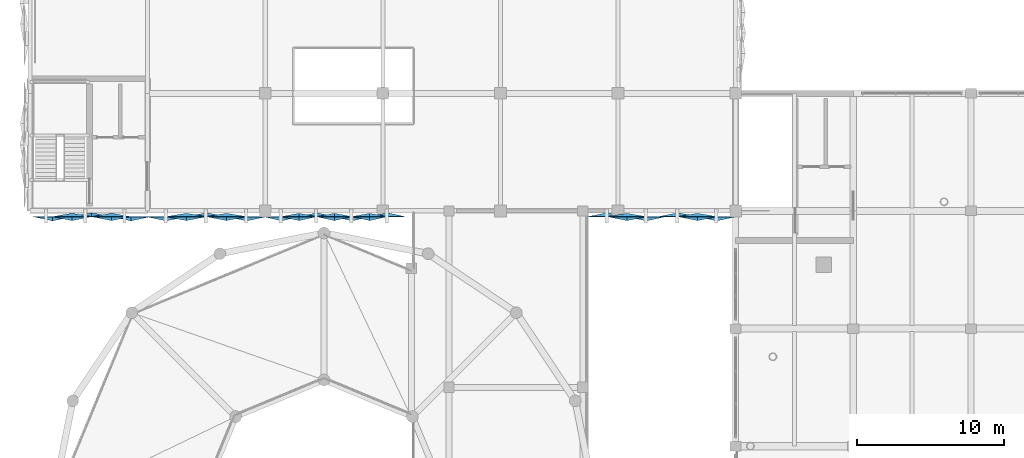
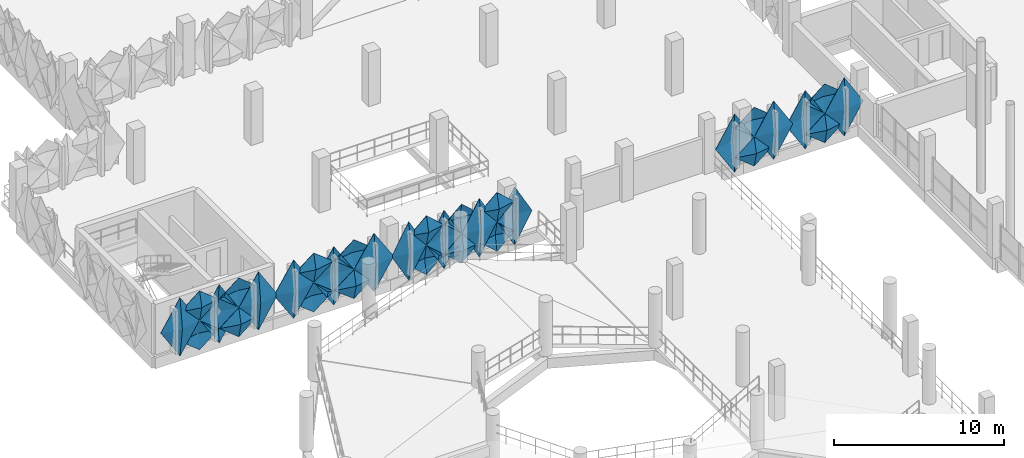
# One storey, part 88 of 123: 32 plates.
"""IFC4 building model written with IfcOpenShell, lengths in metres."""

from ifc_helpers import new_model, si_unit, derived_unit, direction, frame, origin, place, context, subcontext, project, spatial, polygons, material, layer, layer_set, type_object, element, save


model = new_model("IFC4")

# Units and contexts
model_context = context("Model", 3, precision=1e-05, world=origin(), true_north=direction((0.0, 1.0)))
body_context = subcontext(model_context, "Body", "Model", "MODEL_VIEW")
ifc_project = project(units=[si_unit("LENGTHUNIT", "METRE"), si_unit("AREAUNIT", "SQUARE_METRE"), si_unit("VOLUMEUNIT", "CUBIC_METRE"), si_unit("PLANEANGLEUNIT", "RADIAN"), si_unit("MASSUNIT", "GRAM", prefix="KILO"), si_unit("THERMODYNAMICTEMPERATUREUNIT", "KELVIN"), derived_unit("THERMALTRANSMITTANCEUNIT", [(si_unit("POWERUNIT", "WATT"), 1), (si_unit("AREAUNIT", "SQUARE_METRE"), -1), (si_unit("THERMODYNAMICTEMPERATUREUNIT", "KELVIN"), -1)])], contexts=[model_context])

# Site, building, storey
site_placement = place(None, origin())
site = spatial("IfcSite", under=ifc_project, at=site_placement, CompositionType="ELEMENT")
building_placement = place(site_placement, origin())
building = spatial("IfcBuilding", under=site, at=building_placement, Name="Haiyu Intermodal Mobility Hub", CompositionType="ELEMENT")
storey_placement = place(building_placement, frame((0.0, 0.0, 5.60009765625)))
storey = spatial("IfcBuildingStorey", under=building, at=storey_placement, Name="L01", CompositionType="ELEMENT", Elevation=5.60009765625)

# Plates
ifc_material = material(Name="Anodised aluminium 6063-T6", Category="aluminium")
ifc_layer_1 = layer(ifc_material, 0.02001953125)
ifc_layer_set_1 = layer_set([ifc_layer_1], Name="Anodised aluminium 6063-T6")
plate_type_1 = type_object("IfcPlateType", Name="PLT-FC02", PredefinedType="USERDEFINED", material=ifc_layer_set_1)
plate_1_placement = place(storey_placement, origin())
element("IfcPlate", 1, at=plate_1_placement, inside=storey, type_object=plate_type_1, Name="PLT-PYR-2478", ObjectType="FACADE CASSETTE", PredefinedType="USERDEFINED", context=body_context, shape_type="Tessellation", body=[
    polygons([(38.300048828125, 79.60009765625, -0.510009765625), (39.47998046875, 79.60009765625, 1.599853515625), (38.300048828125, 79.60009765625, 3.7099609375), (37.1201171875, 79.60009765625, 1.599853515625), (38.300048828125, 79.860107421875, 1.599853515625), (38.300048828125, 79.6220703125, -0.510009765625), (39.47998046875, 79.6220703125, 1.599853515625), (38.300048828125, 79.6220703125, 3.7099609375), (37.1201171875, 79.6220703125, 1.599853515625), (38.300048828125, 79.882080078125, 1.599853515625)], [[[1, 2, 5]], [[2, 3, 5]], [[3, 4, 5]], [[4, 1, 5]], [[7, 6, 10]], [[8, 7, 10]], [[9, 8, 10]], [[6, 9, 10]], [[1, 6, 7, 2]], [[2, 7, 8, 3]], [[3, 8, 9, 4]], [[4, 9, 6, 1]]], closed=True),
])
ifc_layer_2 = layer(ifc_material, 0.01806640625)
ifc_layer_set_2 = layer_set([ifc_layer_2], Name="Anodised aluminium 6063-T6")
plate_type_2 = type_object("IfcPlateType", Name="PLT-FC03", PredefinedType="USERDEFINED", material=ifc_layer_set_2)
plate_2_placement = place(storey_placement, origin())
element("IfcPlate", 2, at=plate_2_placement, inside=storey, type_object=plate_type_2, Name="PLT-PYR-1423", ObjectType="FACADE CASSETTE", PredefinedType="USERDEFINED", context=body_context, shape_type="Tessellation", body=[
    polygons([(15.532958984375, 79.60009765625, -0.510009765625), (16.846923828125, 79.60009765625, 1.599853515625), (15.532958984375, 79.60009765625, 3.7099609375), (14.219970703125, 79.60009765625, 1.599853515625), (15.532958984375, 79.320068359375, 1.599853515625), (15.532958984375, 79.6220703125, -0.510009765625), (16.846923828125, 79.6220703125, 1.599853515625), (15.532958984375, 79.6220703125, 3.7099609375), (14.219970703125, 79.6220703125, 1.599853515625), (15.532958984375, 79.342041015625, 1.599853515625)], [[[1, 2, 5]], [[2, 3, 5]], [[3, 4, 5]], [[4, 1, 5]], [[7, 6, 10]], [[8, 7, 10]], [[9, 8, 10]], [[6, 9, 10]], [[1, 6, 7, 2]], [[2, 7, 8, 3]], [[3, 8, 9, 4]], [[4, 9, 6, 1]]], closed=True),
])
plate_3_placement = place(storey_placement, origin())
element("IfcPlate", 3, at=plate_3_placement, inside=storey, type_object=plate_type_2, Name="PLT-PYR-1427", ObjectType="FACADE CASSETTE", PredefinedType="USERDEFINED", context=body_context, shape_type="Tessellation", body=[
    polygons([(19.532958984375, 79.60009765625, -0.52001953125), (20.846923828125, 79.60009765625, 0.52978515625), (19.532958984375, 79.60009765625, 1.579833984375), (18.219970703125, 79.60009765625, 0.52978515625), (19.532958984375, 79.340087890625, 0.52978515625), (19.532958984375, 79.6220703125, -0.52001953125), (20.846923828125, 79.6220703125, 0.52978515625), (19.532958984375, 79.6220703125, 1.579833984375), (18.219970703125, 79.6220703125, 0.52978515625), (19.532958984375, 79.362060546875, 0.52978515625)], [[[1, 2, 5]], [[2, 3, 5]], [[3, 4, 5]], [[4, 1, 5]], [[7, 6, 10]], [[8, 7, 10]], [[9, 8, 10]], [[6, 9, 10]], [[1, 6, 7, 2]], [[2, 7, 8, 3]], [[3, 8, 9, 4]], [[4, 9, 6, 1]]], closed=True),
])
plate_4_placement = place(storey_placement, origin())
element("IfcPlate", 4, at=plate_4_placement, inside=storey, type_object=plate_type_2, Name="PLT-PYR-2034", ObjectType="FACADE CASSETTE", PredefinedType="USERDEFINED", context=body_context, shape_type="Tessellation", body=[
    polygons([(54.60009765625, 79.60009765625, -0.52001953125), (55.905029296875, 79.60009765625, 0.52978515625), (54.60009765625, 79.60009765625, 1.579833984375), (53.294921875, 79.60009765625, 0.52978515625), (54.60009765625, 79.340087890625, 0.52978515625), (54.60009765625, 79.6220703125, -0.52001953125), (55.905029296875, 79.6220703125, 0.52978515625), (54.60009765625, 79.6220703125, 1.579833984375), (53.294921875, 79.6220703125, 0.52978515625), (54.60009765625, 79.362060546875, 0.52978515625)], [[[1, 2, 5]], [[2, 3, 5]], [[3, 4, 5]], [[4, 1, 5]], [[7, 6, 10]], [[8, 7, 10]], [[9, 8, 10]], [[6, 9, 10]], [[1, 6, 7, 2]], [[2, 7, 8, 3]], [[3, 8, 9, 4]], [[4, 9, 6, 1]]], closed=True),
])
plate_5_placement = place(storey_placement, origin())
element("IfcPlate", 5, at=plate_5_placement, inside=storey, type_object=plate_type_2, Name="PLT-PYR-2038", ObjectType="FACADE CASSETTE", PredefinedType="USERDEFINED", context=body_context, shape_type="Tessellation", body=[
    polygons([(59.39990234375, 79.60009765625, -0.52001953125), (60.705078125, 79.60009765625, 0.52978515625), (59.39990234375, 79.60009765625, 1.579833984375), (58.094970703125, 79.60009765625, 0.52978515625), (59.39990234375, 79.340087890625, 0.52978515625), (59.39990234375, 79.6220703125, -0.52001953125), (60.705078125, 79.6220703125, 0.52978515625), (59.39990234375, 79.6220703125, 1.579833984375), (58.094970703125, 79.6220703125, 0.52978515625), (59.39990234375, 79.362060546875, 0.52978515625)], [[[1, 2, 5]], [[2, 3, 5]], [[3, 4, 5]], [[4, 1, 5]], [[7, 6, 10]], [[8, 7, 10]], [[9, 8, 10]], [[6, 9, 10]], [[1, 6, 7, 2]], [[2, 7, 8, 3]], [[3, 8, 9, 4]], [[4, 9, 6, 1]]], closed=True),
])
plate_6_placement = place(storey_placement, origin())
element("IfcPlate", 6, at=plate_6_placement, inside=storey, type_object=plate_type_2, Name="PLT-PYR-2462", ObjectType="FACADE CASSETTE", PredefinedType="USERDEFINED", context=body_context, shape_type="Tessellation", body=[
    polygons([(23.26708984375, 79.60009765625, -0.510009765625), (24.613037109375, 79.60009765625, 1.599853515625), (23.26708984375, 79.60009765625, 3.7099609375), (21.919921875, 79.60009765625, 1.599853515625), (23.26708984375, 79.320068359375, 1.599853515625), (23.26708984375, 79.6220703125, -0.510009765625), (24.613037109375, 79.6220703125, 1.599853515625), (23.26708984375, 79.6220703125, 3.7099609375), (21.919921875, 79.6220703125, 1.599853515625), (23.26708984375, 79.342041015625, 1.599853515625)], [[[1, 2, 5]], [[2, 3, 5]], [[3, 4, 5]], [[4, 1, 5]], [[7, 6, 10]], [[8, 7, 10]], [[9, 8, 10]], [[6, 9, 10]], [[1, 6, 7, 2]], [[2, 7, 8, 3]], [[3, 8, 9, 4]], [[4, 9, 6, 1]]], closed=True),
])
plate_7_placement = place(storey_placement, origin())
element("IfcPlate", 7, at=plate_7_placement, inside=storey, type_object=plate_type_2, Name="PLT-PYR-2466", ObjectType="FACADE CASSETTE", PredefinedType="USERDEFINED", context=body_context, shape_type="Tessellation", body=[
    polygons([(27.366943359375, 79.60009765625, -0.52001953125), (28.712890625, 79.60009765625, 0.52978515625), (27.366943359375, 79.60009765625, 1.579833984375), (26.02001953125, 79.60009765625, 0.52978515625), (27.366943359375, 79.340087890625, 0.52978515625), (27.366943359375, 79.6220703125, -0.52001953125), (28.712890625, 79.6220703125, 0.52978515625), (27.366943359375, 79.6220703125, 1.579833984375), (26.02001953125, 79.6220703125, 0.52978515625), (27.366943359375, 79.362060546875, 0.52978515625)], [[[1, 2, 5]], [[2, 3, 5]], [[3, 4, 5]], [[4, 1, 5]], [[7, 6, 10]], [[8, 7, 10]], [[9, 8, 10]], [[6, 9, 10]], [[1, 6, 7, 2]], [[2, 7, 8, 3]], [[3, 8, 9, 4]], [[4, 9, 6, 1]]], closed=True),
])
plate_8_placement = place(storey_placement, origin())
element("IfcPlate", 8, at=plate_8_placement, inside=storey, type_object=plate_type_2, Name="PLT-PYR-2469", ObjectType="FACADE CASSETTE", PredefinedType="USERDEFINED", context=body_context, shape_type="Tessellation", body=[
    polygons([(31.10009765625, 79.60009765625, -0.510009765625), (32.280029296875, 79.60009765625, 1.599853515625), (31.10009765625, 79.60009765625, 3.7099609375), (29.919921875, 79.60009765625, 1.599853515625), (31.10009765625, 79.320068359375, 1.599853515625), (31.10009765625, 79.6220703125, -0.510009765625), (32.280029296875, 79.6220703125, 1.599853515625), (31.10009765625, 79.6220703125, 3.7099609375), (29.919921875, 79.6220703125, 1.599853515625), (31.10009765625, 79.342041015625, 1.599853515625)], [[[1, 2, 5]], [[2, 3, 5]], [[3, 4, 5]], [[4, 1, 5]], [[7, 6, 10]], [[8, 7, 10]], [[9, 8, 10]], [[6, 9, 10]], [[1, 6, 7, 2]], [[2, 7, 8, 3]], [[3, 8, 9, 4]], [[4, 9, 6, 1]]], closed=True),
])
plate_9_placement = place(storey_placement, origin())
element("IfcPlate", 9, at=plate_9_placement, inside=storey, type_object=plate_type_2, Name="PLT-PYR-2473", ObjectType="FACADE CASSETTE", PredefinedType="USERDEFINED", context=body_context, shape_type="Tessellation", body=[
    polygons([(34.699951171875, 79.60009765625, -0.52001953125), (35.8798828125, 79.60009765625, 0.52978515625), (34.699951171875, 79.60009765625, 1.579833984375), (33.52001953125, 79.60009765625, 0.52978515625), (34.699951171875, 79.340087890625, 0.52978515625), (34.699951171875, 79.6220703125, -0.52001953125), (35.8798828125, 79.6220703125, 0.52978515625), (34.699951171875, 79.6220703125, 1.579833984375), (33.52001953125, 79.6220703125, 0.52978515625), (34.699951171875, 79.362060546875, 0.52978515625)], [[[1, 2, 5]], [[2, 3, 5]], [[3, 4, 5]], [[4, 1, 5]], [[7, 6, 10]], [[8, 7, 10]], [[9, 8, 10]], [[6, 9, 10]], [[1, 6, 7, 2]], [[2, 7, 8, 3]], [[3, 8, 9, 4]], [[4, 9, 6, 1]]], closed=True),
])
ifc_layer_3 = layer(ifc_material, 0.02001953125)
ifc_layer_set_3 = layer_set([ifc_layer_3], Name="Anodised aluminium 6063-T6")
plate_type_3 = type_object("IfcPlateType", Name="PLT-FC04", PredefinedType="USERDEFINED", material=ifc_layer_set_3)
plate_10_placement = place(storey_placement, origin())
element("IfcPlate", 10, at=plate_10_placement, inside=storey, type_object=plate_type_3, Name="PLT-PYR-1424", ObjectType="FACADE CASSETTE", PredefinedType="USERDEFINED", context=body_context, shape_type="Tessellation", body=[
    polygons([(16.866943359375, 79.60009765625, -0.52001953125), (18.179931640625, 79.60009765625, 0.52978515625), (16.866943359375, 79.60009765625, 1.579833984375), (15.552978515625, 79.60009765625, 0.52978515625), (16.866943359375, 79.820068359375, 0.52978515625), (16.866943359375, 79.6220703125, -0.52001953125), (18.179931640625, 79.6220703125, 0.52978515625), (16.866943359375, 79.6220703125, 1.579833984375), (15.552978515625, 79.6220703125, 0.52978515625), (16.866943359375, 79.842041015625, 0.52978515625)], [[[1, 2, 5]], [[2, 3, 5]], [[3, 4, 5]], [[4, 1, 5]], [[7, 6, 10]], [[8, 7, 10]], [[9, 8, 10]], [[6, 9, 10]], [[1, 6, 7, 2]], [[2, 7, 8, 3]], [[3, 8, 9, 4]], [[4, 9, 6, 1]]], closed=True),
])
plate_11_placement = place(storey_placement, origin())
element("IfcPlate", 11, at=plate_11_placement, inside=storey, type_object=plate_type_3, Name="PLT-PYR-2033", ObjectType="FACADE CASSETTE", PredefinedType="USERDEFINED", context=body_context, shape_type="Tessellation", body=[
    polygons([(53.27490234375, 79.60009765625, -0.510009765625), (54.580078125, 79.60009765625, 1.599853515625), (53.27490234375, 79.60009765625, 3.7099609375), (51.969970703125, 79.60009765625, 1.599853515625), (53.27490234375, 79.860107421875, 1.599853515625), (53.27490234375, 79.6220703125, -0.510009765625), (54.580078125, 79.6220703125, 1.599853515625), (53.27490234375, 79.6220703125, 3.7099609375), (51.969970703125, 79.6220703125, 1.599853515625), (53.27490234375, 79.882080078125, 1.599853515625)], [[[1, 2, 5]], [[2, 3, 5]], [[3, 4, 5]], [[4, 1, 5]], [[7, 6, 10]], [[8, 7, 10]], [[9, 8, 10]], [[6, 9, 10]], [[1, 6, 7, 2]], [[2, 7, 8, 3]], [[3, 8, 9, 4]], [[4, 9, 6, 1]]], closed=True),
])
plate_12_placement = place(storey_placement, origin())
element("IfcPlate", 12, at=plate_12_placement, inside=storey, type_object=plate_type_3, Name="PLT-PYR-2037", ObjectType="FACADE CASSETTE", PredefinedType="USERDEFINED", context=body_context, shape_type="Tessellation", body=[
    polygons([(58.074951171875, 79.60009765625, -0.510009765625), (59.3798828125, 79.60009765625, 1.599853515625), (58.074951171875, 79.60009765625, 3.7099609375), (56.77001953125, 79.60009765625, 1.599853515625), (58.074951171875, 79.860107421875, 1.599853515625), (58.074951171875, 79.6220703125, -0.510009765625), (59.3798828125, 79.6220703125, 1.599853515625), (58.074951171875, 79.6220703125, 3.7099609375), (56.77001953125, 79.6220703125, 1.599853515625), (58.074951171875, 79.882080078125, 1.599853515625)], [[[1, 2, 5]], [[2, 3, 5]], [[3, 4, 5]], [[4, 1, 5]], [[7, 6, 10]], [[8, 7, 10]], [[9, 8, 10]], [[6, 9, 10]], [[1, 6, 7, 2]], [[2, 7, 8, 3]], [[3, 8, 9, 4]], [[4, 9, 6, 1]]], closed=True),
])
plate_13_placement = place(storey_placement, origin())
element("IfcPlate", 13, at=plate_13_placement, inside=storey, type_object=plate_type_3, Name="PLT-PYR-2463", ObjectType="FACADE CASSETTE", PredefinedType="USERDEFINED", context=body_context, shape_type="Tessellation", body=[
    polygons([(24.633056640625, 79.60009765625, -0.52001953125), (25.97998046875, 79.60009765625, 0.52978515625), (24.633056640625, 79.60009765625, 1.579833984375), (23.287109375, 79.60009765625, 0.52978515625), (24.633056640625, 79.820068359375, 0.52978515625), (24.633056640625, 79.6220703125, -0.52001953125), (25.97998046875, 79.6220703125, 0.52978515625), (24.633056640625, 79.6220703125, 1.579833984375), (23.287109375, 79.6220703125, 0.52978515625), (24.633056640625, 79.842041015625, 0.52978515625)], [[[1, 2, 5]], [[2, 3, 5]], [[3, 4, 5]], [[4, 1, 5]], [[7, 6, 10]], [[8, 7, 10]], [[9, 8, 10]], [[6, 9, 10]], [[1, 6, 7, 2]], [[2, 7, 8, 3]], [[3, 8, 9, 4]], [[4, 9, 6, 1]]], closed=True),
])
plate_14_placement = place(storey_placement, origin())
element("IfcPlate", 14, at=plate_14_placement, inside=storey, type_object=plate_type_3, Name="PLT-PYR-2470", ObjectType="FACADE CASSETTE", PredefinedType="USERDEFINED", context=body_context, shape_type="Tessellation", body=[
    polygons([(32.300048828125, 79.60009765625, -0.52001953125), (33.47998046875, 79.60009765625, 0.52978515625), (32.300048828125, 79.60009765625, 1.579833984375), (31.1201171875, 79.60009765625, 0.52978515625), (32.300048828125, 79.820068359375, 0.52978515625), (32.300048828125, 79.6220703125, -0.52001953125), (33.47998046875, 79.6220703125, 0.52978515625), (32.300048828125, 79.6220703125, 1.579833984375), (31.1201171875, 79.6220703125, 0.52978515625), (32.300048828125, 79.842041015625, 0.52978515625)], [[[1, 2, 5]], [[2, 3, 5]], [[3, 4, 5]], [[4, 1, 5]], [[7, 6, 10]], [[8, 7, 10]], [[9, 8, 10]], [[6, 9, 10]], [[1, 6, 7, 2]], [[2, 7, 8, 3]], [[3, 8, 9, 4]], [[4, 9, 6, 1]]], closed=True),
])
plate_15_placement = place(storey_placement, origin())
element("IfcPlate", 15, at=plate_15_placement, inside=storey, type_object=plate_type_3, Name="PLT-PYR-2476", ObjectType="FACADE CASSETTE", PredefinedType="USERDEFINED", context=body_context, shape_type="Tessellation", body=[
    polygons([(37.10009765625, 79.60009765625, -0.52001953125), (38.280029296875, 79.60009765625, 0.52978515625), (37.10009765625, 79.60009765625, 1.579833984375), (35.919921875, 79.60009765625, 0.52978515625), (37.10009765625, 79.820068359375, 0.52978515625), (37.10009765625, 79.6220703125, -0.52001953125), (38.280029296875, 79.6220703125, 0.52978515625), (37.10009765625, 79.6220703125, 1.579833984375), (35.919921875, 79.6220703125, 0.52978515625), (37.10009765625, 79.842041015625, 0.52978515625)], [[[1, 2, 5]], [[2, 3, 5]], [[3, 4, 5]], [[4, 1, 5]], [[7, 6, 10]], [[8, 7, 10]], [[9, 8, 10]], [[6, 9, 10]], [[1, 6, 7, 2]], [[2, 7, 8, 3]], [[3, 8, 9, 4]], [[4, 9, 6, 1]]], closed=True),
])
ifc_layer_4 = layer(ifc_material, 0.01806640625)
ifc_layer_set_4 = layer_set([ifc_layer_4], Name="Anodised aluminium 6063-T6")
plate_type_4 = type_object("IfcPlateType", Name="PLT-FC05", PredefinedType="USERDEFINED", material=ifc_layer_set_4)
plate_16_placement = place(storey_placement, origin())
element("IfcPlate", 16, at=plate_16_placement, inside=storey, type_object=plate_type_4, Name="PLT-PYR-1425", ObjectType="FACADE CASSETTE", PredefinedType="USERDEFINED", context=body_context, shape_type="Tessellation", body=[
    polygons([(16.866943359375, 79.60009765625, 1.619873046875), (18.179931640625, 79.60009765625, 2.669921875), (16.866943359375, 79.60009765625, 3.719970703125), (15.552978515625, 79.60009765625, 2.669921875), (16.866943359375, 79.340087890625, 2.669921875), (16.866943359375, 79.6220703125, 1.619873046875), (18.179931640625, 79.6220703125, 2.669921875), (16.866943359375, 79.6220703125, 3.719970703125), (15.552978515625, 79.6220703125, 2.669921875), (16.866943359375, 79.362060546875, 2.669921875)], [[[1, 2, 5]], [[2, 3, 5]], [[3, 4, 5]], [[4, 1, 5]], [[7, 6, 10]], [[8, 7, 10]], [[9, 8, 10]], [[6, 9, 10]], [[1, 6, 7, 2]], [[2, 7, 8, 3]], [[3, 8, 9, 4]], [[4, 9, 6, 1]]], closed=True),
])
plate_17_placement = place(storey_placement, origin())
element("IfcPlate", 17, at=plate_17_placement, inside=storey, type_object=plate_type_4, Name="PLT-PYR-2036", ObjectType="FACADE CASSETTE", PredefinedType="USERDEFINED", context=body_context, shape_type="Tessellation", body=[
    polygons([(55.925048828125, 79.60009765625, -0.510009765625), (57.22998046875, 79.60009765625, 1.599853515625), (55.925048828125, 79.60009765625, 3.7099609375), (54.6201171875, 79.60009765625, 1.599853515625), (55.925048828125, 79.320068359375, 1.599853515625), (55.925048828125, 79.6220703125, -0.510009765625), (57.22998046875, 79.6220703125, 1.599853515625), (55.925048828125, 79.6220703125, 3.7099609375), (54.6201171875, 79.6220703125, 1.599853515625), (55.925048828125, 79.342041015625, 1.599853515625)], [[[1, 2, 5]], [[2, 3, 5]], [[3, 4, 5]], [[4, 1, 5]], [[7, 6, 10]], [[8, 7, 10]], [[9, 8, 10]], [[6, 9, 10]], [[1, 6, 7, 2]], [[2, 7, 8, 3]], [[3, 8, 9, 4]], [[4, 9, 6, 1]]], closed=True),
])
plate_18_placement = place(storey_placement, origin())
element("IfcPlate", 18, at=plate_18_placement, inside=storey, type_object=plate_type_4, Name="PLT-PYR-2040", ObjectType="FACADE CASSETTE", PredefinedType="USERDEFINED", context=body_context, shape_type="Tessellation", body=[
    polygons([(60.72509765625, 79.60009765625, -0.510009765625), (62.030029296875, 79.60009765625, 1.599853515625), (60.72509765625, 79.60009765625, 3.7099609375), (59.419921875, 79.60009765625, 1.599853515625), (60.72509765625, 79.320068359375, 1.599853515625), (60.72509765625, 79.6220703125, -0.510009765625), (62.030029296875, 79.6220703125, 1.599853515625), (60.72509765625, 79.6220703125, 3.7099609375), (59.419921875, 79.6220703125, 1.599853515625), (60.72509765625, 79.342041015625, 1.599853515625)], [[[1, 2, 5]], [[2, 3, 5]], [[3, 4, 5]], [[4, 1, 5]], [[7, 6, 10]], [[8, 7, 10]], [[9, 8, 10]], [[6, 9, 10]], [[1, 6, 7, 2]], [[2, 7, 8, 3]], [[3, 8, 9, 4]], [[4, 9, 6, 1]]], closed=True),
])
plate_19_placement = place(storey_placement, origin())
element("IfcPlate", 19, at=plate_19_placement, inside=storey, type_object=plate_type_4, Name="PLT-PYR-2464", ObjectType="FACADE CASSETTE", PredefinedType="USERDEFINED", context=body_context, shape_type="Tessellation", body=[
    polygons([(24.633056640625, 79.60009765625, 1.619873046875), (25.97998046875, 79.60009765625, 2.669921875), (24.633056640625, 79.60009765625, 3.719970703125), (23.287109375, 79.60009765625, 2.669921875), (24.633056640625, 79.340087890625, 2.669921875), (24.633056640625, 79.6220703125, 1.619873046875), (25.97998046875, 79.6220703125, 2.669921875), (24.633056640625, 79.6220703125, 3.719970703125), (23.287109375, 79.6220703125, 2.669921875), (24.633056640625, 79.362060546875, 2.669921875)], [[[1, 2, 5]], [[2, 3, 5]], [[3, 4, 5]], [[4, 1, 5]], [[7, 6, 10]], [[8, 7, 10]], [[9, 8, 10]], [[6, 9, 10]], [[1, 6, 7, 2]], [[2, 7, 8, 3]], [[3, 8, 9, 4]], [[4, 9, 6, 1]]], closed=True),
])
plate_20_placement = place(storey_placement, origin())
element("IfcPlate", 20, at=plate_20_placement, inside=storey, type_object=plate_type_4, Name="PLT-PYR-2471", ObjectType="FACADE CASSETTE", PredefinedType="USERDEFINED", context=body_context, shape_type="Tessellation", body=[
    polygons([(32.300048828125, 79.60009765625, 1.619873046875), (33.47998046875, 79.60009765625, 2.669921875), (32.300048828125, 79.60009765625, 3.719970703125), (31.1201171875, 79.60009765625, 2.669921875), (32.300048828125, 79.340087890625, 2.669921875), (32.300048828125, 79.6220703125, 1.619873046875), (33.47998046875, 79.6220703125, 2.669921875), (32.300048828125, 79.6220703125, 3.719970703125), (31.1201171875, 79.6220703125, 2.669921875), (32.300048828125, 79.362060546875, 2.669921875)], [[[1, 2, 5]], [[2, 3, 5]], [[3, 4, 5]], [[4, 1, 5]], [[7, 6, 10]], [[8, 7, 10]], [[9, 8, 10]], [[6, 9, 10]], [[1, 6, 7, 2]], [[2, 7, 8, 3]], [[3, 8, 9, 4]], [[4, 9, 6, 1]]], closed=True),
])
plate_21_placement = place(storey_placement, origin())
element("IfcPlate", 21, at=plate_21_placement, inside=storey, type_object=plate_type_4, Name="PLT-PYR-2477", ObjectType="FACADE CASSETTE", PredefinedType="USERDEFINED", context=body_context, shape_type="Tessellation", body=[
    polygons([(37.10009765625, 79.60009765625, 1.619873046875), (38.280029296875, 79.60009765625, 2.669921875), (37.10009765625, 79.60009765625, 3.719970703125), (35.919921875, 79.60009765625, 2.669921875), (37.10009765625, 79.340087890625, 2.669921875), (37.10009765625, 79.6220703125, 1.619873046875), (38.280029296875, 79.6220703125, 2.669921875), (37.10009765625, 79.6220703125, 3.719970703125), (35.919921875, 79.6220703125, 2.669921875), (37.10009765625, 79.362060546875, 2.669921875)], [[[1, 2, 5]], [[2, 3, 5]], [[3, 4, 5]], [[4, 1, 5]], [[7, 6, 10]], [[8, 7, 10]], [[9, 8, 10]], [[6, 9, 10]], [[1, 6, 7, 2]], [[2, 7, 8, 3]], [[3, 8, 9, 4]], [[4, 9, 6, 1]]], closed=True),
])
ifc_layer_5 = layer(ifc_material, 0.02001953125)
ifc_layer_set_5 = layer_set([ifc_layer_5], Name="Anodised aluminium 6063-T6")
plate_type_5 = type_object("IfcPlateType", Name="PLT-FC06", PredefinedType="USERDEFINED", material=ifc_layer_set_5)
plate_22_placement = place(storey_placement, origin())
element("IfcPlate", 22, at=plate_22_placement, inside=storey, type_object=plate_type_5, Name="PLT-PYR-1426", ObjectType="FACADE CASSETTE", PredefinedType="USERDEFINED", context=body_context, shape_type="Tessellation", body=[
    polygons([(18.199951171875, 79.60009765625, -0.510009765625), (19.512939453125, 79.60009765625, 1.599853515625), (18.199951171875, 79.60009765625, 3.7099609375), (16.886962890625, 79.60009765625, 1.599853515625), (18.199951171875, 79.860107421875, 1.599853515625), (18.199951171875, 79.6220703125, -0.510009765625), (19.512939453125, 79.6220703125, 1.599853515625), (18.199951171875, 79.6220703125, 3.7099609375), (16.886962890625, 79.6220703125, 1.599853515625), (18.199951171875, 79.882080078125, 1.599853515625)], [[[1, 2, 5]], [[2, 3, 5]], [[3, 4, 5]], [[4, 1, 5]], [[7, 6, 10]], [[8, 7, 10]], [[9, 8, 10]], [[6, 9, 10]], [[1, 6, 7, 2]], [[2, 7, 8, 3]], [[3, 8, 9, 4]], [[4, 9, 6, 1]]], closed=True),
])
plate_23_placement = place(storey_placement, origin())
element("IfcPlate", 23, at=plate_23_placement, inside=storey, type_object=plate_type_5, Name="PLT-PYR-1428", ObjectType="FACADE CASSETTE", PredefinedType="USERDEFINED", context=body_context, shape_type="Tessellation", body=[
    polygons([(19.532958984375, 79.60009765625, 1.619873046875), (20.846923828125, 79.60009765625, 2.669921875), (19.532958984375, 79.60009765625, 3.719970703125), (18.219970703125, 79.60009765625, 2.669921875), (19.532958984375, 79.820068359375, 2.669921875), (19.532958984375, 79.6220703125, 1.619873046875), (20.846923828125, 79.6220703125, 2.669921875), (19.532958984375, 79.6220703125, 3.719970703125), (18.219970703125, 79.6220703125, 2.669921875), (19.532958984375, 79.842041015625, 2.669921875)], [[[1, 2, 5]], [[2, 3, 5]], [[3, 4, 5]], [[4, 1, 5]], [[7, 6, 10]], [[8, 7, 10]], [[9, 8, 10]], [[6, 9, 10]], [[1, 6, 7, 2]], [[2, 7, 8, 3]], [[3, 8, 9, 4]], [[4, 9, 6, 1]]], closed=True),
])
plate_24_placement = place(storey_placement, origin())
element("IfcPlate", 24, at=plate_24_placement, inside=storey, type_object=plate_type_5, Name="PLT-PYR-2035", ObjectType="FACADE CASSETTE", PredefinedType="USERDEFINED", context=body_context, shape_type="Tessellation", body=[
    polygons([(54.60009765625, 79.60009765625, 1.619873046875), (55.905029296875, 79.60009765625, 2.669921875), (54.60009765625, 79.60009765625, 3.719970703125), (53.294921875, 79.60009765625, 2.669921875), (54.60009765625, 79.820068359375, 2.669921875), (54.60009765625, 79.6220703125, 1.619873046875), (55.905029296875, 79.6220703125, 2.669921875), (54.60009765625, 79.6220703125, 3.719970703125), (53.294921875, 79.6220703125, 2.669921875), (54.60009765625, 79.842041015625, 2.669921875)], [[[1, 2, 5]], [[2, 3, 5]], [[3, 4, 5]], [[4, 1, 5]], [[7, 6, 10]], [[8, 7, 10]], [[9, 8, 10]], [[6, 9, 10]], [[1, 6, 7, 2]], [[2, 7, 8, 3]], [[3, 8, 9, 4]], [[4, 9, 6, 1]]], closed=True),
])
plate_25_placement = place(storey_placement, origin())
element("IfcPlate", 25, at=plate_25_placement, inside=storey, type_object=plate_type_5, Name="PLT-PYR-2039", ObjectType="FACADE CASSETTE", PredefinedType="USERDEFINED", context=body_context, shape_type="Tessellation", body=[
    polygons([(59.39990234375, 79.60009765625, 1.619873046875), (60.705078125, 79.60009765625, 2.669921875), (59.39990234375, 79.60009765625, 3.719970703125), (58.094970703125, 79.60009765625, 2.669921875), (59.39990234375, 79.820068359375, 2.669921875), (59.39990234375, 79.6220703125, 1.619873046875), (60.705078125, 79.6220703125, 2.669921875), (59.39990234375, 79.6220703125, 3.719970703125), (58.094970703125, 79.6220703125, 2.669921875), (59.39990234375, 79.842041015625, 2.669921875)], [[[1, 2, 5]], [[2, 3, 5]], [[3, 4, 5]], [[4, 1, 5]], [[7, 6, 10]], [[8, 7, 10]], [[9, 8, 10]], [[6, 9, 10]], [[1, 6, 7, 2]], [[2, 7, 8, 3]], [[3, 8, 9, 4]], [[4, 9, 6, 1]]], closed=True),
])
plate_26_placement = place(storey_placement, origin())
element("IfcPlate", 26, at=plate_26_placement, inside=storey, type_object=plate_type_5, Name="PLT-PYR-2465", ObjectType="FACADE CASSETTE", PredefinedType="USERDEFINED", context=body_context, shape_type="Tessellation", body=[
    polygons([(26.0, 79.60009765625, -0.510009765625), (27.346923828125, 79.60009765625, 1.599853515625), (26.0, 79.60009765625, 3.7099609375), (24.653076171875, 79.60009765625, 1.599853515625), (26.0, 79.860107421875, 1.599853515625), (26.0, 79.6220703125, -0.510009765625), (27.346923828125, 79.6220703125, 1.599853515625), (26.0, 79.6220703125, 3.7099609375), (24.653076171875, 79.6220703125, 1.599853515625), (26.0, 79.882080078125, 1.599853515625)], [[[1, 2, 5]], [[2, 3, 5]], [[3, 4, 5]], [[4, 1, 5]], [[7, 6, 10]], [[8, 7, 10]], [[9, 8, 10]], [[6, 9, 10]], [[1, 6, 7, 2]], [[2, 7, 8, 3]], [[3, 8, 9, 4]], [[4, 9, 6, 1]]], closed=True),
])
plate_27_placement = place(storey_placement, origin())
element("IfcPlate", 27, at=plate_27_placement, inside=storey, type_object=plate_type_5, Name="PLT-PYR-2467", ObjectType="FACADE CASSETTE", PredefinedType="USERDEFINED", context=body_context, shape_type="Tessellation", body=[
    polygons([(27.366943359375, 79.60009765625, 1.619873046875), (28.712890625, 79.60009765625, 2.669921875), (27.366943359375, 79.60009765625, 3.719970703125), (26.02001953125, 79.60009765625, 2.669921875), (27.366943359375, 79.820068359375, 2.669921875), (27.366943359375, 79.6220703125, 1.619873046875), (28.712890625, 79.6220703125, 2.669921875), (27.366943359375, 79.6220703125, 3.719970703125), (26.02001953125, 79.6220703125, 2.669921875), (27.366943359375, 79.842041015625, 2.669921875)], [[[1, 2, 5]], [[2, 3, 5]], [[3, 4, 5]], [[4, 1, 5]], [[7, 6, 10]], [[8, 7, 10]], [[9, 8, 10]], [[6, 9, 10]], [[1, 6, 7, 2]], [[2, 7, 8, 3]], [[3, 8, 9, 4]], [[4, 9, 6, 1]]], closed=True),
])
plate_28_placement = place(storey_placement, origin())
element("IfcPlate", 28, at=plate_28_placement, inside=storey, type_object=plate_type_5, Name="PLT-PYR-2472", ObjectType="FACADE CASSETTE", PredefinedType="USERDEFINED", context=body_context, shape_type="Tessellation", body=[
    polygons([(33.5, 79.60009765625, -0.510009765625), (34.679931640625, 79.60009765625, 1.599853515625), (33.5, 79.60009765625, 3.7099609375), (32.320068359375, 79.60009765625, 1.599853515625), (33.5, 79.860107421875, 1.599853515625), (33.5, 79.6220703125, -0.510009765625), (34.679931640625, 79.6220703125, 1.599853515625), (33.5, 79.6220703125, 3.7099609375), (32.320068359375, 79.6220703125, 1.599853515625), (33.5, 79.882080078125, 1.599853515625)], [[[1, 2, 5]], [[2, 3, 5]], [[3, 4, 5]], [[4, 1, 5]], [[7, 6, 10]], [[8, 7, 10]], [[9, 8, 10]], [[6, 9, 10]], [[1, 6, 7, 2]], [[2, 7, 8, 3]], [[3, 8, 9, 4]], [[4, 9, 6, 1]]], closed=True),
])
plate_29_placement = place(storey_placement, origin())
element("IfcPlate", 29, at=plate_29_placement, inside=storey, type_object=plate_type_5, Name="PLT-PYR-2474", ObjectType="FACADE CASSETTE", PredefinedType="USERDEFINED", context=body_context, shape_type="Tessellation", body=[
    polygons([(34.699951171875, 79.60009765625, 1.619873046875), (35.8798828125, 79.60009765625, 2.669921875), (34.699951171875, 79.60009765625, 3.719970703125), (33.52001953125, 79.60009765625, 2.669921875), (34.699951171875, 79.820068359375, 2.669921875), (34.699951171875, 79.6220703125, 1.619873046875), (35.8798828125, 79.6220703125, 2.669921875), (34.699951171875, 79.6220703125, 3.719970703125), (33.52001953125, 79.6220703125, 2.669921875), (34.699951171875, 79.842041015625, 2.669921875)], [[[1, 2, 5]], [[2, 3, 5]], [[3, 4, 5]], [[4, 1, 5]], [[7, 6, 10]], [[8, 7, 10]], [[9, 8, 10]], [[6, 9, 10]], [[1, 6, 7, 2]], [[2, 7, 8, 3]], [[3, 8, 9, 4]], [[4, 9, 6, 1]]], closed=True),
])
ifc_layer_6 = layer(ifc_material, 0.02197265625)
ifc_layer_set_6 = layer_set([ifc_layer_6], Name="Anodised aluminium 6063-T6")
plate_type_6 = type_object("IfcPlateType", Name="PLT-FC07", PredefinedType="USERDEFINED", material=ifc_layer_set_6)
plate_30_placement = place(storey_placement, origin())
element("IfcPlate", 30, at=plate_30_placement, inside=storey, type_object=plate_type_6, Name="PLT-PYR-1429", ObjectType="FACADE CASSETTE", PredefinedType="USERDEFINED", context=body_context, shape_type="Tessellation", body=[
    polygons([(20.866943359375, 79.60009765625, -0.510009765625), (22.179931640625, 79.60009765625, 1.599853515625), (20.866943359375, 79.60009765625, 3.7099609375), (19.552978515625, 79.60009765625, 1.599853515625), (20.866943359375, 79.320068359375, 1.599853515625), (20.866943359375, 79.6220703125, -0.510009765625), (22.179931640625, 79.6220703125, 1.599853515625), (20.866943359375, 79.6220703125, 3.7099609375), (19.552978515625, 79.6220703125, 1.599853515625), (20.866943359375, 79.342041015625, 1.599853515625)], [[[1, 2, 5]], [[2, 3, 5]], [[3, 4, 5]], [[4, 1, 5]], [[7, 6, 10]], [[8, 7, 10]], [[9, 8, 10]], [[6, 9, 10]], [[1, 6, 7, 2]], [[2, 7, 8, 3]], [[3, 8, 9, 4]], [[4, 9, 6, 1]]], closed=True),
])
plate_31_placement = place(storey_placement, origin())
element("IfcPlate", 31, at=plate_31_placement, inside=storey, type_object=plate_type_6, Name="PLT-PYR-2468", ObjectType="FACADE CASSETTE", PredefinedType="USERDEFINED", context=body_context, shape_type="Tessellation", body=[
    polygons([(28.73291015625, 79.60009765625, -0.510009765625), (30.080078125, 79.60009765625, 1.599853515625), (28.73291015625, 79.60009765625, 3.7099609375), (27.386962890625, 79.60009765625, 1.599853515625), (28.73291015625, 79.320068359375, 1.599853515625), (28.73291015625, 79.6220703125, -0.510009765625), (30.080078125, 79.6220703125, 1.599853515625), (28.73291015625, 79.6220703125, 3.7099609375), (27.386962890625, 79.6220703125, 1.599853515625), (28.73291015625, 79.342041015625, 1.599853515625)], [[[1, 2, 5]], [[2, 3, 5]], [[3, 4, 5]], [[4, 1, 5]], [[7, 6, 10]], [[8, 7, 10]], [[9, 8, 10]], [[6, 9, 10]], [[1, 6, 7, 2]], [[2, 7, 8, 3]], [[3, 8, 9, 4]], [[4, 9, 6, 1]]], closed=True),
])
plate_32_placement = place(storey_placement, origin())
element("IfcPlate", 32, at=plate_32_placement, inside=storey, type_object=plate_type_6, Name="PLT-PYR-2475", ObjectType="FACADE CASSETTE", PredefinedType="USERDEFINED", context=body_context, shape_type="Tessellation", body=[
    polygons([(35.89990234375, 79.60009765625, -0.510009765625), (37.080078125, 79.60009765625, 1.599853515625), (35.89990234375, 79.60009765625, 3.7099609375), (34.719970703125, 79.60009765625, 1.599853515625), (35.89990234375, 79.320068359375, 1.599853515625), (35.89990234375, 79.6220703125, -0.510009765625), (37.080078125, 79.6220703125, 1.599853515625), (35.89990234375, 79.6220703125, 3.7099609375), (34.719970703125, 79.6220703125, 1.599853515625), (35.89990234375, 79.342041015625, 1.599853515625)], [[[1, 2, 5]], [[2, 3, 5]], [[3, 4, 5]], [[4, 1, 5]], [[7, 6, 10]], [[8, 7, 10]], [[9, 8, 10]], [[6, 9, 10]], [[1, 6, 7, 2]], [[2, 7, 8, 3]], [[3, 8, 9, 4]], [[4, 9, 6, 1]]], closed=True),
])

save(model, "model.ifc")
